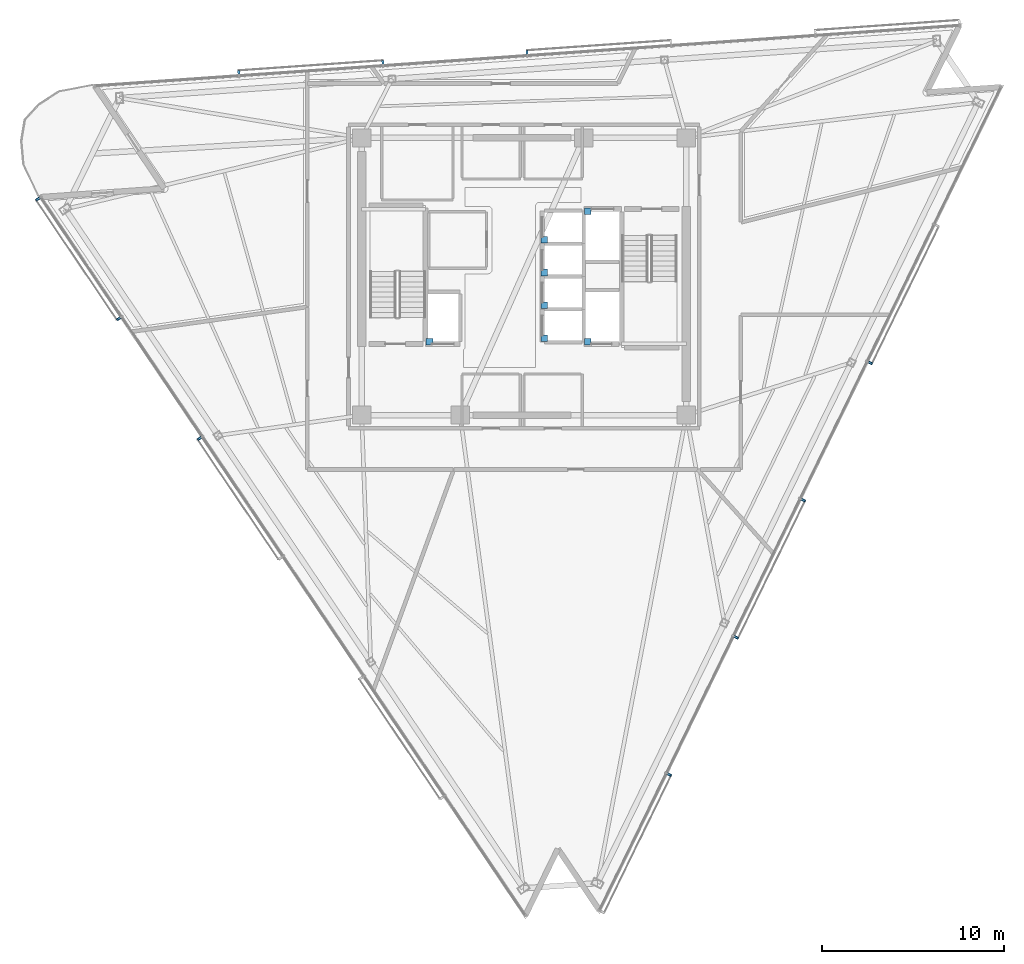
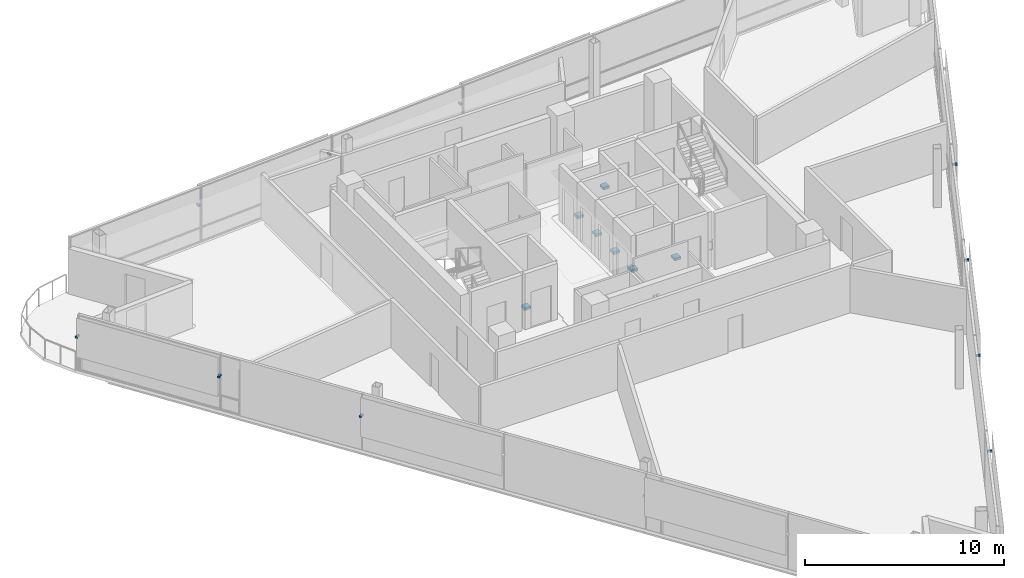
# One storey, part 12 of 16: 17 discrete accessories.
"""IFC4 building model written with IfcOpenShell, lengths in metres."""

import ifcopenshell
import ifcopenshell.guid

model = None  # the IFC model being written
_history = None  # IfcOwnerHistory: only IFC2X3 demands one
_inside = {}  # id of a spatial element -> (the spatial element, [elements in it])
_under = {}  # id of a project, library or spatial element -> (it, [spatial elements below it])
_declared = {}  # id of a project -> (the project, [libraries it declares])
_typed = {}  # id of a type object -> (the type object, [elements of that type])
_made_of = {}  # id of a material, layer set ... -> (it, [elements and type objects made of it])


def new_model(schema):
    """Start an empty IFC model of exactly this schema.

    Asked for "IFC4X3", IfcOpenShell would pick the latest addendum, in which some entities
    have other attributes; the version numbers below select the first issue.
    IFC2X3 requires an IfcOwnerHistory on every rooted entity: one is made here for all.
    """
    global model, _history
    if schema == "IFC4X3":
        model = ifcopenshell.file(schema_version=(4, 3, 0, 0))
    else:
        model = ifcopenshell.file(schema=schema)
    _inside.clear()
    _under.clear()
    _declared.clear()
    _typed.clear()
    _made_of.clear()
    _history = None
    if model.schema == "IFC2X3":
        org = make("IfcOrganization", Name="unknown")
        user = make(
            "IfcPersonAndOrganization",
            ThePerson=make("IfcPerson", FamilyName="unknown"),
            TheOrganization=org,
        )
        app = make(
            "IfcApplication",
            ApplicationDeveloper=org,
            Version="unknown",
            ApplicationFullName="unknown",
            ApplicationIdentifier="unknown",
        )
        _history = make(
            "IfcOwnerHistory",
            OwningUser=user,
            OwningApplication=app,
            ChangeAction="ADDED",
            CreationDate=0,
        )
    return model


def make(cls, **values):
    """One entity of the class cls with the attributes given. An attribute that is None is left unset."""
    return model.create_entity(
        cls, **{name: value for name, value in values.items() if value is not None}
    )


def rooted(cls, **values):
    """An entity with a GlobalId (a new one), such as an element, a storey or a relation."""
    return make(cls, GlobalId=ifcopenshell.guid.new(), OwnerHistory=_history, **values)


def si_unit(unit_type, name, prefix=None):
    """IfcSIUnit, for example si_unit("LENGTHUNIT", "METRE", prefix="MILLI")."""
    return make("IfcSIUnit", UnitType=unit_type, Prefix=prefix, Name=name)


def assignment(units):
    """IfcUnitAssignment: the units of a project."""
    return None if units is None else make("IfcUnitAssignment", Units=units)


def point(xyz):
    """IfcCartesianPoint."""
    return None if xyz is None else make("IfcCartesianPoint", Coordinates=xyz)


def direction(xyz):
    """IfcDirection."""
    return None if xyz is None else make("IfcDirection", DirectionRatios=xyz)


def frame(location, z_axis=None, x_axis=None):
    """IfcAxis2Placement3D, a coordinate frame: its origin and axes. An axis left out is left unset."""
    return make(
        "IfcAxis2Placement3D",
        Location=point(location),
        Axis=direction(z_axis),
        RefDirection=direction(x_axis),
    )


def frame_2d(location, x_axis=None):
    """IfcAxis2Placement2D, a coordinate frame in the plane: its origin and x axis."""
    return make(
        "IfcAxis2Placement2D", Location=point(location), RefDirection=direction(x_axis)
    )


def origin():
    """The frame at (0, 0, 0) with its axes left unset."""
    return frame((0.0, 0.0, 0.0))


def origin_2d():
    """The frame at (0, 0) in the plane with its x axis left unset."""
    return frame_2d((0.0, 0.0))


def place(relative_to, where):
    """IfcLocalPlacement: puts the frame where relative to a parent placement (None: the world)."""
    return make(
        "IfcLocalPlacement", PlacementRelTo=relative_to, RelativePlacement=where
    )


def context(
    kind, dimensions, precision=None, world=None, true_north=None, identifier=None
):
    """IfcGeometricRepresentationContext, for example the 3D "Model" context."""
    return make(
        "IfcGeometricRepresentationContext",
        ContextIdentifier=identifier,
        ContextType=kind,
        CoordinateSpaceDimension=dimensions,
        Precision=precision,
        WorldCoordinateSystem=world,
        TrueNorth=true_north,
    )


def subcontext(parent, identifier, kind, view, scale=None):
    """IfcGeometricRepresentationSubContext, for example "Body" below "Model"."""
    return make(
        "IfcGeometricRepresentationSubContext",
        ContextIdentifier=identifier,
        ContextType=kind,
        ParentContext=parent,
        TargetScale=scale,
        TargetView=view,
    )


def project(units=None, contexts=None):
    """IfcProject with its units and contexts."""
    return rooted(
        "IfcProject",
        Name="project",
        RepresentationContexts=contexts,
        UnitsInContext=assignment(units),
    )


def spatial(cls, under=None, at=None, **own):
    """A site, building, storey or space (cls), placed at a placement, below another one or the project."""
    s = rooted(cls, ObjectPlacement=at, **own)
    if under is not None:
        _under.setdefault(under.id(), (under, []))[1].append(s)
    return s


def profile(cls, at=None, kind="AREA", **sizes):
    """A parametric profile (cls). Its sizes go by their IFC names, for example OverallWidth=200.0."""
    return make(cls, ProfileType=kind, Position=at, **sizes)


def rectangle(**sizes):
    """IfcRectangleProfileDef."""
    return profile("IfcRectangleProfileDef", **sizes)


def extrude(swept, where, along, depth):
    """IfcExtrudedAreaSolid: the profile swept, set in the frame where, extruded along a direction by depth."""
    return make(
        "IfcExtrudedAreaSolid",
        SweptArea=swept,
        Position=where,
        ExtrudedDirection=direction(along),
        Depth=depth,
    )


def shape(context_of_items, identifier, shape_type, items):
    """IfcShapeRepresentation: the items that make up one representation, for example the "Body"."""
    return make(
        "IfcShapeRepresentation",
        ContextOfItems=context_of_items,
        RepresentationIdentifier=identifier,
        RepresentationType=shape_type,
        Items=items,
    )


def material(Name=None, Category=None):
    """IfcMaterial."""
    return make("IfcMaterial", Name=Name, Category=Category)


def made_of(thing, what):
    """Note that an element or type object is made of a material, layer set ...; save() writes the relation."""
    if what is not None:
        _made_of.setdefault(what.id(), (what, []))[1].append(thing)
    return thing


def type_object(cls, material=None, **own):
    """A type object (cls), such as IfcWallType, which elements share."""
    return made_of(rooted(cls, **own), material)


def element(
    cls,
    number,
    at=None,
    inside=None,
    cuts=None,
    type_object=None,
    material=None,
    context=None,
    identifier="Body",
    shape_type=None,
    held_by="IfcProductDefinitionShape",
    body=None,
    shapes=None,
    **own,
):
    """One element of the class cls, such as IfcWall. Its Tag is "e" and its number.

    at: its placement. inside: the storey or other place that contains it. cuts: it is an
    opening in that element (IfcRelVoidsElement). A single representation is given by context,
    identifier, shape_type and body (its items); several are given by shapes. held_by: the class
    of the entity that holds the representations. save() writes the other relations.
    """
    e = rooted(cls, Tag="e%d" % number, ObjectPlacement=at, **own)
    if body is not None:
        shapes = [shape(context, identifier, shape_type, body)]
    if shapes is not None:
        e.Representation = make(held_by, Representations=shapes)
    if inside is not None:
        _inside.setdefault(inside.id(), (inside, []))[1].append(e)
    if cuts is not None:
        rooted(
            "IfcRelVoidsElement", RelatingBuildingElement=cuts, RelatedOpeningElement=e
        )
    if type_object is not None:
        _typed.setdefault(type_object.id(), (type_object, []))[1].append(e)
    return made_of(e, material)


def aggregate(whole, parts):
    """IfcRelAggregates: a whole, such as a stair, and the parts it consists of."""
    return rooted("IfcRelAggregates", RelatingObject=whole, RelatedObjects=parts)


def save(model, path):
    """Write the relations noted so far, then the file.

    IfcRelAggregates (storeys below a building ...), IfcRelContainedInSpatialStructure (elements
    in a storey), IfcRelDefinesByType, IfcRelAssociatesMaterial and IfcRelDeclares: one each for
    every whole, place, type object, material and project.
    """
    for whole, parts in _under.values():
        aggregate(whole, parts)
    for where, things in _inside.values():
        rooted(
            "IfcRelContainedInSpatialStructure",
            RelatedElements=things,
            RelatingStructure=where,
        )
    for kind, things in _typed.values():
        rooted("IfcRelDefinesByType", RelatedObjects=things, RelatingType=kind)
    for what, things in _made_of.values():
        rooted("IfcRelAssociatesMaterial", RelatedObjects=things, RelatingMaterial=what)
    for by, libraries in _declared.values():
        rooted("IfcRelDeclares", RelatingContext=by, RelatedDefinitions=libraries)
    model.write(path)


model = new_model("IFC4")

# Units and contexts
model_context = context("Model", 3, precision=1e-05, world=origin(), true_north=direction((0.0, 1.0)))
body_context = subcontext(model_context, "Body", "Model", "MODEL_VIEW")
ifc_project = project(units=[si_unit("LENGTHUNIT", "METRE"), si_unit("AREAUNIT", "SQUARE_METRE"), si_unit("VOLUMEUNIT", "CUBIC_METRE"), si_unit("PLANEANGLEUNIT", "RADIAN"), si_unit("MASSUNIT", "GRAM", prefix="KILO")], contexts=[model_context])

# Site, building, storey
site_placement = place(None, origin())
site = spatial("IfcSite", under=ifc_project, at=site_placement, CompositionType="ELEMENT")
building_placement = place(site_placement, origin())
building = spatial("IfcBuilding", under=site, at=building_placement, Name="Tharavind Bronze Gate", CompositionType="ELEMENT")
storey_placement = place(building_placement, frame((0.0, 0.0, 257.0)))
storey = spatial("IfcBuildingStorey", under=building, at=storey_placement, Name="L66", CompositionType="ELEMENT", Elevation=257.0)

# Discrete accessories
ifc_material_1 = material(Name="Galvanised Steel S355", Category="steel")
discrete_accessory_type_1 = type_object("IfcDiscreteAccessoryType", Name="LIFT GUIDE RAIL BRACKET", PredefinedType="BRACKET", material=ifc_material_1)
for number, where, z_axis, x_axis, name in (
    (1, (1.1201171875, -3.3798828125, 1.1201171875), (0.0, 0.0, 1.0), (1.0, 0.0, 0.0), "Lift PL9 guide rail bracket at L66"),
    (2, (1.1201171875, -1.580078125, 1.1201171875), (0.0, 0.0, 1.0), (1.0, 0.0, 0.0), "Lift PL10 guide rail bracket at L66"),
    (3, (1.1201171875, 0.219970703125, 1.1201171875), (0.0, 0.0, 1.0), (1.0, 0.0, 0.0), "Lift PL11 guide rail bracket at L66"),
    (4, (1.1201171875, 2.02001953125, 1.1201171875), (0.0, 0.0, 1.0), (1.0, 0.0, 0.0), "Lift PL12 guide rail bracket at L66"),
    (5, (-5.179931640625, -3.580078125, 1.1201171875), (0.0, 0.0, 1.0), (1.0, 0.0, 0.0), "Lift FFL1 guide rail bracket at L66"),
    (6, (3.5, 3.580078125, 1.1201171875), (0.0, 0.0, 1.0), (1.0, 0.0, 0.0), "Lift FFL2 guide rail bracket at L66"),
    (7, (3.5, -3.580078125, 1.1201171875), (0.0, 0.0, 1.0), (1.0, 0.0, 0.0), "Lift SVL1 guide rail bracket at L66"),
):
    element("IfcDiscreteAccessory", number, at=place(storey_placement, frame(where, z_axis=z_axis, x_axis=x_axis)), inside=storey, type_object=discrete_accessory_type_1, Name=name, PredefinedType="BRACKET", context=body_context, shape_type="SweptSolid", body=[
        extrude(rectangle(XDim=0.360107421875, YDim=0.360107421875, at=origin_2d()), origin(), (0.0, 0.0, 1.0), 0.159912109375),
    ])
ifc_material_2 = material(Name="Stainless Steel 316", Category="steel")
discrete_accessory_type_2 = type_object("IfcDiscreteAccessoryType", Name="SOLAR SCREEN STANDOFF BRACKET", PredefinedType="BRACKET", material=ifc_material_2)
for number, where, z_axis, x_axis, name in (
    (8, (-26.647216796875, 4.25146484375, 2.099853515625), (0.0, 0.0, 1.0), (0.559191456526, -0.82903854853, 0.0), "CW-L66-S1 solar screen bracket 1.1"),
    (9, (-22.21826171875, -2.314697265625, 2.099853515625), (0.0, 0.0, 1.0), (0.559191456526, -0.82903854853, 0.0), "CW-L66-S1 solar screen bracket 1.2"),
    (10, (-17.789306640625, -8.881103515625, 2.099853515625), (0.0, 0.0, 1.0), (0.559191456526, -0.82903854853, 0.0), "CW-L66-S1 solar screen bracket 3.1"),
    (11, (7.966064453125, -27.3154296875, 2.099853515625), (0.0, 0.0, 1.0), (0.43837271548, 0.898793281196, 0.0), "CW-L66-S2 solar screen bracket 1.2"),
    (12, (11.63623046875, -19.79052734375, 2.099853515625), (0.0, 0.0, 1.0), (0.43837271548, 0.898793281196, 0.0), "CW-L66-S2 solar screen bracket 3.1"),
    (13, (15.306396484375, -12.265380859375, 2.099853515625), (0.0, 0.0, 1.0), (0.43837271548, 0.898793281196, 0.0), "CW-L66-S2 solar screen bracket 3.2"),
    (14, (18.9765625, -4.740478515625, 2.099853515625), (0.0, 0.0, 1.0), (0.43837271548, 0.898793281196, 0.0), "CW-L66-S2 solar screen bracket 5.1"),
    (15, (0.164794921875, 12.283203125, 2.099853515625), (0.0, 0.0, 1.0), (-0.997563806758, -0.069759955899, 0.0), "CW-L66-S3 solar screen bracket 3.2"),
    (16, (-7.736328125, 11.730712890625, 2.099853515625), (0.0, 0.0, 1.0), (-0.997563806758, -0.069759955899, 0.0), "CW-L66-S3 solar screen bracket 5.1"),
    (17, (-15.63720703125, 11.177978515625, 2.099853515625), (0.0, 0.0, 1.0), (-0.997563806758, -0.069759955899, 0.0), "CW-L66-S3 solar screen bracket 5.2"),
):
    element("IfcDiscreteAccessory", number, at=place(storey_placement, frame(where, z_axis=z_axis, x_axis=x_axis)), inside=storey, type_object=discrete_accessory_type_2, Name=name, PredefinedType="BRACKET", context=body_context, shape_type="SweptSolid", body=[
        extrude(rectangle(XDim=0.1201171875, YDim=0.239990234375, at=origin_2d()), origin(), (0.0, 0.0, 1.0), 0.1201171875),
    ])

save(model, "model.ifc")
